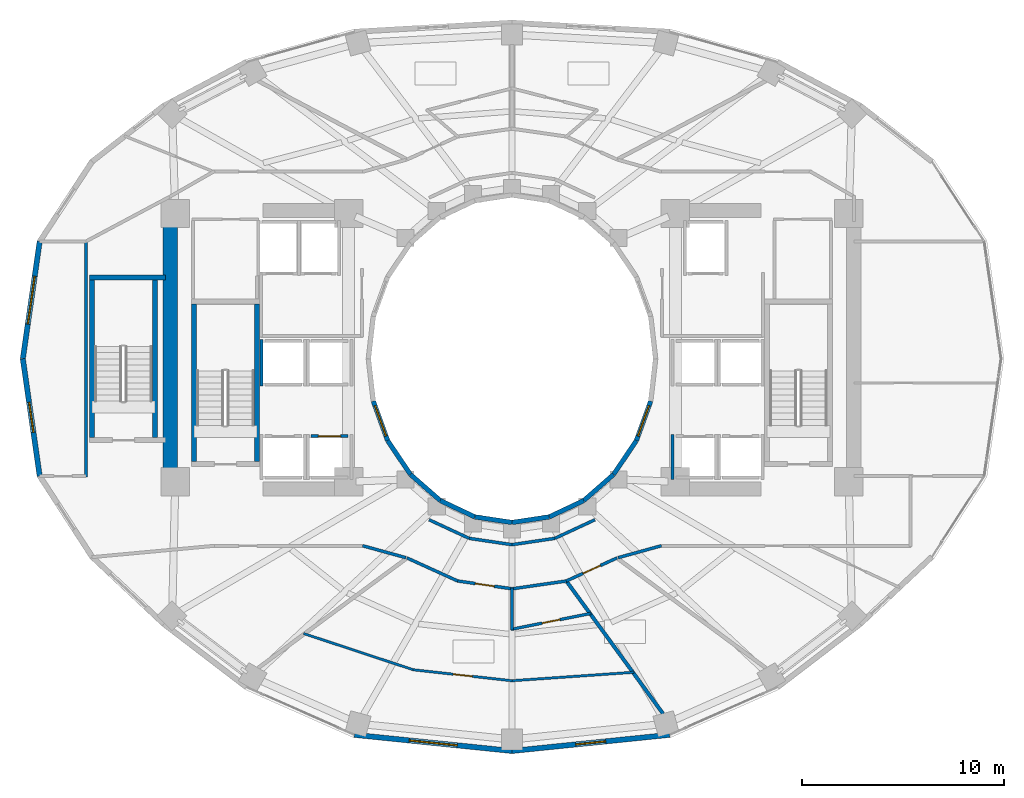
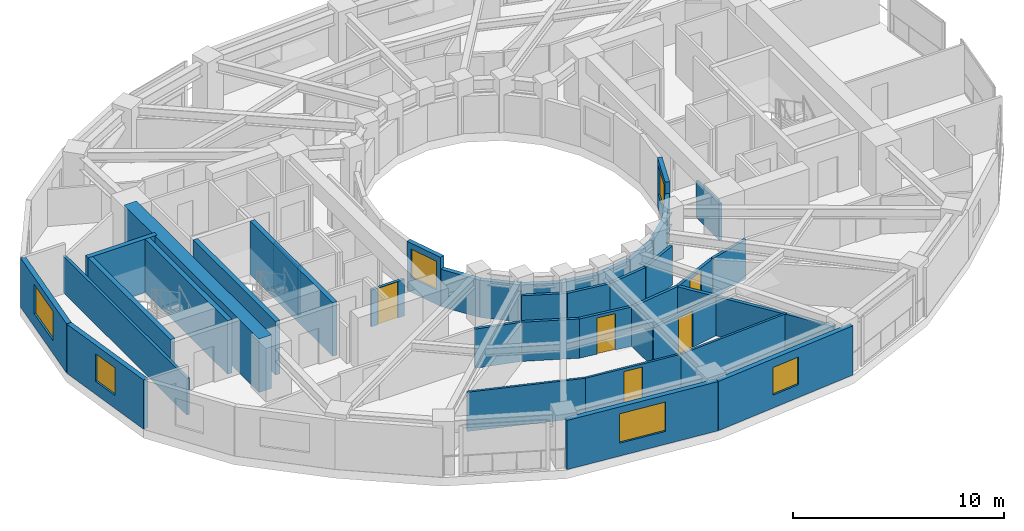
# One storey, part 11 of 18: 40 walls, 6 windows, 5 doors, 11 openings.
"""IFC4 building model written with IfcOpenShell, lengths in metres."""

import ifcopenshell
import ifcopenshell.guid

model = None  # the IFC model being written
_history = None  # IfcOwnerHistory: only IFC2X3 demands one
_inside = {}  # id of a spatial element -> (the spatial element, [elements in it])
_under = {}  # id of a project, library or spatial element -> (it, [spatial elements below it])
_declared = {}  # id of a project -> (the project, [libraries it declares])
_typed = {}  # id of a type object -> (the type object, [elements of that type])
_made_of = {}  # id of a material, layer set ... -> (it, [elements and type objects made of it])


def new_model(schema):
    """Start an empty IFC model of exactly this schema.

    Asked for "IFC4X3", IfcOpenShell would pick the latest addendum, in which some entities
    have other attributes; the version numbers below select the first issue.
    IFC2X3 requires an IfcOwnerHistory on every rooted entity: one is made here for all.
    """
    global model, _history
    if schema == "IFC4X3":
        model = ifcopenshell.file(schema_version=(4, 3, 0, 0))
    else:
        model = ifcopenshell.file(schema=schema)
    _inside.clear()
    _under.clear()
    _declared.clear()
    _typed.clear()
    _made_of.clear()
    _history = None
    if model.schema == "IFC2X3":
        org = make("IfcOrganization", Name="unknown")
        user = make(
            "IfcPersonAndOrganization",
            ThePerson=make("IfcPerson", FamilyName="unknown"),
            TheOrganization=org,
        )
        app = make(
            "IfcApplication",
            ApplicationDeveloper=org,
            Version="unknown",
            ApplicationFullName="unknown",
            ApplicationIdentifier="unknown",
        )
        _history = make(
            "IfcOwnerHistory",
            OwningUser=user,
            OwningApplication=app,
            ChangeAction="ADDED",
            CreationDate=0,
        )
    return model


def make(cls, **values):
    """One entity of the class cls with the attributes given. An attribute that is None is left unset."""
    return model.create_entity(
        cls, **{name: value for name, value in values.items() if value is not None}
    )


def rooted(cls, **values):
    """An entity with a GlobalId (a new one), such as an element, a storey or a relation."""
    return make(cls, GlobalId=ifcopenshell.guid.new(), OwnerHistory=_history, **values)


def si_unit(unit_type, name, prefix=None):
    """IfcSIUnit, for example si_unit("LENGTHUNIT", "METRE", prefix="MILLI")."""
    return make("IfcSIUnit", UnitType=unit_type, Prefix=prefix, Name=name)


def assignment(units):
    """IfcUnitAssignment: the units of a project."""
    return None if units is None else make("IfcUnitAssignment", Units=units)


def point(xyz):
    """IfcCartesianPoint."""
    return None if xyz is None else make("IfcCartesianPoint", Coordinates=xyz)


def direction(xyz):
    """IfcDirection."""
    return None if xyz is None else make("IfcDirection", DirectionRatios=xyz)


def frame(location, z_axis=None, x_axis=None):
    """IfcAxis2Placement3D, a coordinate frame: its origin and axes. An axis left out is left unset."""
    return make(
        "IfcAxis2Placement3D",
        Location=point(location),
        Axis=direction(z_axis),
        RefDirection=direction(x_axis),
    )


def frame_2d(location, x_axis=None):
    """IfcAxis2Placement2D, a coordinate frame in the plane: its origin and x axis."""
    return make(
        "IfcAxis2Placement2D", Location=point(location), RefDirection=direction(x_axis)
    )


def origin():
    """The frame at (0, 0, 0) with its axes left unset."""
    return frame((0.0, 0.0, 0.0))


def place(relative_to, where):
    """IfcLocalPlacement: puts the frame where relative to a parent placement (None: the world)."""
    return make(
        "IfcLocalPlacement", PlacementRelTo=relative_to, RelativePlacement=where
    )


def context(
    kind, dimensions, precision=None, world=None, true_north=None, identifier=None
):
    """IfcGeometricRepresentationContext, for example the 3D "Model" context."""
    return make(
        "IfcGeometricRepresentationContext",
        ContextIdentifier=identifier,
        ContextType=kind,
        CoordinateSpaceDimension=dimensions,
        Precision=precision,
        WorldCoordinateSystem=world,
        TrueNorth=true_north,
    )


def subcontext(parent, identifier, kind, view, scale=None):
    """IfcGeometricRepresentationSubContext, for example "Body" below "Model"."""
    return make(
        "IfcGeometricRepresentationSubContext",
        ContextIdentifier=identifier,
        ContextType=kind,
        ParentContext=parent,
        TargetScale=scale,
        TargetView=view,
    )


def project(units=None, contexts=None):
    """IfcProject with its units and contexts."""
    return rooted(
        "IfcProject",
        Name="project",
        RepresentationContexts=contexts,
        UnitsInContext=assignment(units),
    )


def spatial(cls, under=None, at=None, **own):
    """A site, building, storey or space (cls), placed at a placement, below another one or the project."""
    s = rooted(cls, ObjectPlacement=at, **own)
    if under is not None:
        _under.setdefault(under.id(), (under, []))[1].append(s)
    return s


def profile(cls, at=None, kind="AREA", **sizes):
    """A parametric profile (cls). Its sizes go by their IFC names, for example OverallWidth=200.0."""
    return make(cls, ProfileType=kind, Position=at, **sizes)


def rectangle(**sizes):
    """IfcRectangleProfileDef."""
    return profile("IfcRectangleProfileDef", **sizes)


def extrude(swept, where, along, depth):
    """IfcExtrudedAreaSolid: the profile swept, set in the frame where, extruded along a direction by depth."""
    return make(
        "IfcExtrudedAreaSolid",
        SweptArea=swept,
        Position=where,
        ExtrudedDirection=direction(along),
        Depth=depth,
    )


def shape(context_of_items, identifier, shape_type, items):
    """IfcShapeRepresentation: the items that make up one representation, for example the "Body"."""
    return make(
        "IfcShapeRepresentation",
        ContextOfItems=context_of_items,
        RepresentationIdentifier=identifier,
        RepresentationType=shape_type,
        Items=items,
    )


def material(Name=None, Category=None):
    """IfcMaterial."""
    return make("IfcMaterial", Name=Name, Category=Category)


def layer(
    of_material, thickness, ventilated=None, Name=None, Category=None, Priority=None
):
    """IfcMaterialLayer: one layer of a wall or slab, of a material (None: an air gap)."""
    return make(
        "IfcMaterialLayer",
        Material=of_material,
        LayerThickness=thickness,
        IsVentilated=ventilated,
        Name=Name,
        Category=Category,
        Priority=Priority,
    )


def layer_set(layers, Name=None):
    """IfcMaterialLayerSet."""
    return make("IfcMaterialLayerSet", MaterialLayers=layers, LayerSetName=Name)


def made_of(thing, what):
    """Note that an element or type object is made of a material, layer set ...; save() writes the relation."""
    if what is not None:
        _made_of.setdefault(what.id(), (what, []))[1].append(thing)
    return thing


def type_object(cls, material=None, **own):
    """A type object (cls), such as IfcWallType, which elements share."""
    return made_of(rooted(cls, **own), material)


def element(
    cls,
    number,
    at=None,
    inside=None,
    cuts=None,
    type_object=None,
    material=None,
    context=None,
    identifier="Body",
    shape_type=None,
    held_by="IfcProductDefinitionShape",
    body=None,
    shapes=None,
    **own,
):
    """One element of the class cls, such as IfcWall. Its Tag is "e" and its number.

    at: its placement. inside: the storey or other place that contains it. cuts: it is an
    opening in that element (IfcRelVoidsElement). A single representation is given by context,
    identifier, shape_type and body (its items); several are given by shapes. held_by: the class
    of the entity that holds the representations. save() writes the other relations.
    """
    e = rooted(cls, Tag="e%d" % number, ObjectPlacement=at, **own)
    if body is not None:
        shapes = [shape(context, identifier, shape_type, body)]
    if shapes is not None:
        e.Representation = make(held_by, Representations=shapes)
    if inside is not None:
        _inside.setdefault(inside.id(), (inside, []))[1].append(e)
    if cuts is not None:
        rooted(
            "IfcRelVoidsElement", RelatingBuildingElement=cuts, RelatedOpeningElement=e
        )
    if type_object is not None:
        _typed.setdefault(type_object.id(), (type_object, []))[1].append(e)
    return made_of(e, material)


def fill(opening, filler):
    """IfcRelFillsElement: the door or window that sits in an opening."""
    return rooted(
        "IfcRelFillsElement",
        RelatingOpeningElement=opening,
        RelatedBuildingElement=filler,
    )


def aggregate(whole, parts):
    """IfcRelAggregates: a whole, such as a stair, and the parts it consists of."""
    return rooted("IfcRelAggregates", RelatingObject=whole, RelatedObjects=parts)


def save(model, path):
    """Write the relations noted so far, then the file.

    IfcRelAggregates (storeys below a building ...), IfcRelContainedInSpatialStructure (elements
    in a storey), IfcRelDefinesByType, IfcRelAssociatesMaterial and IfcRelDeclares: one each for
    every whole, place, type object, material and project.
    """
    for whole, parts in _under.values():
        aggregate(whole, parts)
    for where, things in _inside.values():
        rooted(
            "IfcRelContainedInSpatialStructure",
            RelatedElements=things,
            RelatingStructure=where,
        )
    for kind, things in _typed.values():
        rooted("IfcRelDefinesByType", RelatedObjects=things, RelatingType=kind)
    for what, things in _made_of.values():
        rooted("IfcRelAssociatesMaterial", RelatedObjects=things, RelatingMaterial=what)
    for by, libraries in _declared.values():
        rooted("IfcRelDeclares", RelatingContext=by, RelatedDefinitions=libraries)
    model.write(path)


model = new_model("IFC4")

# Units and contexts
model_context = context("Model", 3, precision=1e-05, world=origin(), true_north=direction((0.0, 1.0)))
body_context = subcontext(model_context, "Body", "Model", "MODEL_VIEW")
ifc_project = project(units=[si_unit("LENGTHUNIT", "METRE"), si_unit("AREAUNIT", "SQUARE_METRE"), si_unit("VOLUMEUNIT", "CUBIC_METRE"), si_unit("PLANEANGLEUNIT", "RADIAN"), si_unit("MASSUNIT", "GRAM", prefix="KILO")], contexts=[model_context])

# Site, building, storey
site_placement = place(None, origin())
site = spatial("IfcSite", under=ifc_project, at=site_placement, CompositionType="ELEMENT")
building_placement = place(site_placement, origin())
building = spatial("IfcBuilding", under=site, at=building_placement, Name="Solvane Sanctuary Tower", CompositionType="ELEMENT")
storey_placement = place(building_placement, frame((0.0, 0.0, 94.89990234375)))
storey = spatial("IfcBuildingStorey", under=building, at=storey_placement, Name="L28", CompositionType="ELEMENT", Elevation=94.89990234375)

# Walls
ifc_material_1 = material(Name="Concrete C60/75", Category="concrete")
ifc_layer_1 = layer(ifc_material_1, 0.699951171875, Name="Concrete C60/75")
ifc_layer_set_1 = layer_set([ifc_layer_1], Name="Concrete C60/75")
wall_type_1 = type_object("IfcWallType", Name="Wall W-CORE-700", PredefinedType="SHEAR", material=ifc_layer_set_1)
wall_1_placement = place(storey_placement, frame((15.050048828125, 17.050048828125, 0.0), z_axis=(0.0, 0.0, 1.0), x_axis=(0.0, 1.0, 0.0)))
element("IfcWall", 1, at=wall_1_placement, inside=storey, type_object=wall_type_1, Name="L28 Core Shear Wall WC-W", PredefinedType="SHEAR", context=body_context, shape_type="SweptSolid", body=[
    extrude(rectangle(XDim=12.800048828125, YDim=0.699951171875, at=frame_2d((6.39990234375, 0.0))), origin(), (0.0, 0.0, 1.0), 3.10009765625),
])
ifc_material_2 = material(Name="Acoustic Gypsum Partition Board")
ifc_layer_2 = layer(ifc_material_2, 0.14990234375, Name="Acoustic Gypsum Partition Board")
ifc_layer_set_2 = layer_set([ifc_layer_2], Name="Acoustic Gypsum Partition Board")
wall_type_2 = type_object("IfcWallType", Name="Wall W-CORR-150", PredefinedType="PARTITIONING", material=ifc_layer_set_2)
wall_2_placement = place(storey_placement, frame((27.889892578125, 15.01513671875, 0.0), z_axis=(0.0, 0.0, 1.0), x_axis=(0.906943449489, -0.421252393975, 0.0)))
element("IfcWall", 2, at=wall_2_placement, inside=storey, type_object=wall_type_2, Name="L28 Light-Well Corridor Rim Wall S1", PredefinedType="PARTITIONING", context=body_context, shape_type="SweptSolid", body=[
    extrude(rectangle(XDim=2.18603515625, YDim=0.14990234375, at=frame_2d((1.093017578125, 0.0))), origin(), (0.0, 0.0, 1.0), 2.272216796875),
])
for number, where, z_axis, x_axis, name in (
    (3, (29.87255859375, 14.09423828125, 0.0), (0.0, 0.0, 1.0), (0.989268584896, -0.146108408166, 0.0), "L28 Light-Well Corridor Rim Wall S2"),
    (4, (32.0, 13.780029296875, 0.0), (0.0, 0.0, 1.0), (0.989268584896, 0.146108408166, 0.0), "L28 Light-Well Corridor Rim Wall S3"),
):
    element("IfcWall", number, at=place(storey_placement, frame(where, z_axis=z_axis, x_axis=x_axis)), inside=storey, type_object=wall_type_2, Name=name, PredefinedType="PARTITIONING", context=body_context, shape_type="SweptSolid", body=[
        extrude(rectangle(XDim=2.150634765625, YDim=0.14990234375, at=frame_2d((1.0751953125, 0.0))), origin(), (0.0, 0.0, 1.0), 2.272216796875),
    ])
wall_3_placement = place(storey_placement, frame((34.12744140625, 14.09423828125, 0.0), z_axis=(0.0, 0.0, 1.0), x_axis=(0.906943449489, 0.421252393975, 0.0)))
element("IfcWall", 5, at=wall_3_placement, inside=storey, type_object=wall_type_2, Name="L28 Light-Well Corridor Rim Wall S4", PredefinedType="PARTITIONING", context=body_context, shape_type="SweptSolid", body=[
    extrude(rectangle(XDim=2.18603515625, YDim=0.14990234375, at=frame_2d((1.093017578125, 0.0))), origin(), (0.0, 0.0, 1.0), 2.272216796875),
])
wall_4_placement = place(storey_placement, frame((10.8798828125, 17.134765625, 0.0), z_axis=(0.0, 0.0, 1.0), x_axis=(0.0, 1.0, 0.0)))
element("IfcWall", 6, at=wall_4_placement, inside=storey, type_object=wall_type_2, Name="L28 West Shoulder Back Wall", PredefinedType="PARTITIONING", context=body_context, shape_type="SweptSolid", body=[
    extrude(rectangle(XDim=11.73046875, YDim=0.14990234375, at=frame_2d((5.865234375, 0.0))), origin(), (0.0, 0.0, 1.0), 2.1201171875),
])
for number, where, z_axis, x_axis, name in (
    (7, (26.741943359375, 13.13330078125, 0.0), (0.0, 0.0, 1.0), (-0.963833843713, 0.266503886865, 0.0), "L28 SW Corner Throat Wall"),
    (8, (37.258056640625, 13.13330078125, 0.0), (0.0, 0.0, 1.0), (0.963833843713, 0.266503886865, 0.0), "L28 SE Corner Throat Wall"),
):
    element("IfcWall", number, at=place(storey_placement, frame(where, z_axis=z_axis, x_axis=x_axis)), inside=storey, type_object=wall_type_2, Name=name, PredefinedType="PARTITIONING", context=body_context, shape_type="SweptSolid", body=[
        extrude(rectangle(XDim=2.231689453125, YDim=0.14990234375, at=frame_2d((1.11572265625, 0.0))), origin(), (0.0, 0.0, 1.0), 2.272216796875),
    ])
wall_5_placement = place(storey_placement, frame((31.950439453125, 11.5830078125, 0.0), z_axis=(0.0, 0.0, 1.0), x_axis=(0.989761784218, 0.142729150844, 0.0)))
element("IfcWall", 9, at=wall_5_placement, inside=storey, type_object=wall_type_2, Name="L28 En-suite Inner Wall S1", PredefinedType="PARTITIONING", context=body_context, shape_type="SweptSolid", body=[
    extrude(rectangle(XDim=2.822265625, YDim=0.14990234375, at=frame_2d((1.4111328125, 0.0))), origin(), (0.0, 0.0, 1.0), 2.272216796875),
])
wall_6_placement = place(storey_placement, frame((26.788818359375, 13.12255859375, 0.0), z_axis=(0.0, 0.0, 1.0), x_axis=(0.910568469686, -0.41335827319, 0.0)))
element("IfcWall", 10, at=wall_6_placement, inside=storey, type_object=wall_type_2, Name="L28 Unit Corridor Wall S1", PredefinedType="PARTITIONING", context=body_context, shape_type="SweptSolid", body=[
    extrude(rectangle(XDim=2.771728515625, YDim=0.14990234375, at=frame_2d((1.3857421875, 0.0))), origin(), (0.0, 0.0, 1.0), 2.272216796875),
])

# Wall, opening, door
wall_7_placement = place(storey_placement, frame((29.298583984375, 11.98095703125, 0.0), z_axis=(0.0, 0.0, 1.0), x_axis=(0.989748682384, -0.142819976611, 0.0)))
wall_7 = element("IfcWall", 11, at=wall_7_placement, inside=storey, type_object=wall_type_2, Name="L28 Unit Corridor Wall S1", PredefinedType="PARTITIONING", context=body_context, shape_type="SweptSolid", body=[
    extrude(rectangle(XDim=2.73681640625, YDim=0.14990234375, at=frame_2d((1.368408203125, 0.0))), origin(), (0.0, 0.0, 1.0), 2.272216796875),
])
opening_1_placement = place(wall_7_placement, frame((0.893310546875, 0.0, 0.0)))
opening_1 = element("IfcOpeningElement", 12, at=opening_1_placement, cuts=wall_7, Name="Opening D-L28-23", PredefinedType="OPENING", context=body_context, shape_type="SweptSolid", body=[
    extrude(rectangle(XDim=0.949951171875, YDim=2.10009765625, at=frame_2d((0.47509765625, 1.050048828125))), frame((0.0, 0.0849609375, 0.0), z_axis=(0.0, -1.0, 0.0), x_axis=(1.0, 0.0, 0.0)), (0.0, 0.0, 1.0), 0.169921875),
])
ifc_material_3 = material(Name="Engineered Tropical Hardwood", Category="wood")
door_type_1 = type_object("IfcDoorType", Name="Door D-ROOM-950", OperationType="NOTDEFINED", PredefinedType="DOOR", material=ifc_material_3)
door_1_placement = place(opening_1_placement, origin())
door_1 = element("IfcDoor", 13, at=door_1_placement, inside=storey, type_object=door_type_1, Name="L28 Unit Entrance Door S1", OperationType="SINGLE_SWING_RIGHT", OverallHeight=2.10009765625, OverallWidth=0.949951171875, PredefinedType="DOOR", context=body_context, shape_type="SweptSolid", body=[
    extrude(rectangle(XDim=0.949951171875, YDim=2.10009765625, at=frame_2d((0.47509765625, 1.050048828125))), frame((0.0, 0.02490234375, 0.0), z_axis=(0.0, -1.0, 0.0), x_axis=(1.0, 0.0, 0.0)), (0.0, 0.0, 1.0), 0.050048828125),
])
fill(opening_1, door_1)

wall_8_placement = place(storey_placement, frame((34.687255859375, 11.976806640625, 0.0), z_axis=(0.0, 0.0, 1.0), x_axis=(0.910568469686, 0.41335827319, 0.0)))
wall_8 = element("IfcWall", 14, at=wall_8_placement, inside=storey, type_object=wall_type_2, Name="L28 Unit Corridor Wall S2", PredefinedType="PARTITIONING", context=body_context, shape_type="SweptSolid", body=[
    extrude(rectangle(XDim=2.771728515625, YDim=0.14990234375, at=frame_2d((1.3857421875, 0.0))), origin(), (0.0, 0.0, 1.0), 2.272216796875),
])
opening_2_placement = place(wall_8_placement, frame((0.910888671875, 0.0, 0.0)))
opening_2 = element("IfcOpeningElement", 15, at=opening_2_placement, cuts=wall_8, Name="Opening D-L28-24", PredefinedType="OPENING", context=body_context, shape_type="SweptSolid", body=[
    extrude(rectangle(XDim=0.949951171875, YDim=2.10009765625, at=frame_2d((0.47509765625, 1.050048828125))), frame((0.0, 0.0849609375, 0.0), z_axis=(0.0, -1.0, 0.0), x_axis=(1.0, 0.0, 0.0)), (0.0, 0.0, 1.0), 0.169921875),
])
door_2_placement = place(opening_2_placement, origin())
door_2 = element("IfcDoor", 16, at=door_2_placement, inside=storey, type_object=door_type_1, Name="L28 Unit Entrance Door S2", OperationType="SINGLE_SWING_LEFT", OverallHeight=2.10009765625, OverallWidth=0.949951171875, PredefinedType="DOOR", context=body_context, shape_type="SweptSolid", body=[
    extrude(rectangle(XDim=0.949951171875, YDim=2.10009765625, at=frame_2d((0.47509765625, 1.050048828125))), frame((0.0, 0.02490234375, 0.0), z_axis=(0.0, -1.0, 0.0), x_axis=(1.0, 0.0, 0.0)), (0.0, 0.0, 1.0), 0.050048828125),
])
fill(opening_2, door_2)

# Wall, opening, window
ifc_material_4 = material(Name="Precast concrete C40/50", Category="concrete")
ifc_layer_3 = layer(ifc_material_4, 0.260009765625, Name="Precast concrete C40/50")
ifc_layer_set_3 = layer_set([ifc_layer_3], Name="Precast concrete C40/50")
wall_type_3 = type_object("IfcWallType", Name="Wall W-EXT-250", PredefinedType="STANDARD", material=ifc_layer_set_3)
wall_9_placement = place(storey_placement, frame((8.578125, 28.818603515625, 0.0), z_axis=(0.0, 0.0, 1.0), x_axis=(-0.142572472068, -0.98978436551, 0.0)))
wall_9 = element("IfcWall", 17, at=wall_9_placement, inside=storey, type_object=wall_type_3, Name="L28 Ceramic-Printed Facade Wall 11", PredefinedType="STANDARD", context=body_context, shape_type="SweptSolid", body=[
    extrude(rectangle(XDim=5.878662109375, YDim=0.260009765625, at=frame_2d((2.939453125, 0.0))), origin(), (0.0, 0.0, 1.0), 2.85009765625),
])
opening_3_placement = place(wall_9_placement, frame((1.739501953125, 0.0, 0.75)))
opening_3 = element("IfcOpeningElement", 18, at=opening_3_placement, cuts=wall_9, Name="Opening WN-RIB-2400", PredefinedType="OPENING", context=body_context, shape_type="SweptSolid", body=[
    extrude(rectangle(XDim=2.39990234375, YDim=1.699951171875, at=frame_2d((1.199951171875, 0.85009765625))), frame((0.0, 0.139892578125, 0.0), z_axis=(0.0, -1.0, 0.0), x_axis=(1.0, 0.0, 0.0)), (0.0, 0.0, 1.0), 0.280029296875),
])
ifc_material_5 = material(Name="Dark Ceramic-Fritted Low-E Glass", Category="glass")
window_type_1 = type_object("IfcWindowType", Name="Window WN-RIB-2400", PartitioningType="SINGLE_PANEL", PredefinedType="WINDOW", material=ifc_material_5)
window_1_placement = place(opening_3_placement, origin())
window_1 = element("IfcWindow", 19, at=window_1_placement, inside=storey, type_object=window_type_1, Name="L28 Operable Facade Window 11", OverallHeight=1.699951171875, OverallWidth=2.39990234375, PartitioningType="SINGLE_PANEL", PredefinedType="WINDOW", context=body_context, shape_type="SweptSolid", body=[
    extrude(rectangle(XDim=2.39990234375, YDim=1.699951171875, at=frame_2d((1.199951171875, 0.85009765625))), frame((0.0, 0.030029296875, 0.0), z_axis=(0.0, -1.0, 0.0), x_axis=(1.0, 0.0, 0.0)), (0.0, 0.0, 1.0), 0.06005859375),
])
fill(opening_3, window_1)

wall_10_placement = place(storey_placement, frame((7.739990234375, 23.0, 0.0), z_axis=(0.0, 0.0, 1.0), x_axis=(0.142572472068, -0.98978436551, 0.0)))
wall_10 = element("IfcWall", 20, at=wall_10_placement, inside=storey, type_object=wall_type_3, Name="L28 Ceramic-Printed Facade Wall 12", PredefinedType="STANDARD", context=body_context, shape_type="SweptSolid", body=[
    extrude(rectangle(XDim=5.878662109375, YDim=0.260009765625, at=frame_2d((2.939453125, 0.0))), origin(), (0.0, 0.0, 1.0), 2.85009765625),
])
opening_4_placement = place(wall_10_placement, frame((2.189453125, 0.0, 0.75)))
opening_4 = element("IfcOpeningElement", 21, at=opening_4_placement, cuts=wall_10, Name="Opening WN-OPER-1500", PredefinedType="OPENING", context=body_context, shape_type="SweptSolid", body=[
    extrude(rectangle(XDim=1.5, YDim=1.60009765625, at=frame_2d((0.75, 0.800048828125))), frame((0.0, 0.139892578125, 0.0), z_axis=(0.0, -1.0, 0.0), x_axis=(1.0, 0.0, 0.0)), (0.0, 0.0, 1.0), 0.280029296875),
])
window_type_2 = type_object("IfcWindowType", Name="Window WN-OPER-1500", PartitioningType="SINGLE_PANEL", PredefinedType="WINDOW", material=ifc_material_5)
window_2_placement = place(opening_4_placement, origin())
window_2 = element("IfcWindow", 22, at=window_2_placement, inside=storey, type_object=window_type_2, Name="L28 Operable Facade Window 12", OverallHeight=1.60009765625, OverallWidth=1.5, PartitioningType="SINGLE_PANEL", PredefinedType="WINDOW", context=body_context, shape_type="SweptSolid", body=[
    extrude(rectangle(XDim=1.5, YDim=1.60009765625, at=frame_2d((0.75, 0.800048828125))), frame((0.0, 0.030029296875, 0.0), z_axis=(0.0, -1.0, 0.0), x_axis=(1.0, 0.0, 0.0)), (0.0, 0.0, 1.0), 0.06005859375),
])
fill(opening_4, window_2)

wall_11_placement = place(storey_placement, frame((24.18359375, 4.349365234375, 0.0), z_axis=(0.0, 0.0, 1.0), x_axis=(0.994821390558, -0.101638579726, 0.0)))
wall_11 = element("IfcWall", 23, at=wall_11_placement, inside=storey, type_object=wall_type_3, Name="L28 Ceramic-Printed Facade Wall 17", PredefinedType="STANDARD", context=body_context, shape_type="SweptSolid", body=[
    extrude(rectangle(XDim=7.857177734375, YDim=0.260009765625, at=frame_2d((3.9287109375, 0.0))), origin(), (0.0, 0.0, 1.0), 2.85009765625),
])
opening_5_placement = place(wall_11_placement, frame((2.728515625, 0.0, 0.75)))
opening_5 = element("IfcOpeningElement", 24, at=opening_5_placement, cuts=wall_11, Name="Opening WN-RIB-2400", PredefinedType="OPENING", context=body_context, shape_type="SweptSolid", body=[
    extrude(rectangle(XDim=2.39990234375, YDim=1.699951171875, at=frame_2d((1.199951171875, 0.85009765625))), frame((0.0, 0.139892578125, 0.0), z_axis=(0.0, -1.0, 0.0), x_axis=(1.0, 0.0, 0.0)), (0.0, 0.0, 1.0), 0.280029296875),
])
window_3_placement = place(opening_5_placement, origin())
window_3 = element("IfcWindow", 25, at=window_3_placement, inside=storey, type_object=window_type_1, Name="L28 Operable Facade Window 17", OverallHeight=1.699951171875, OverallWidth=2.39990234375, PartitioningType="SINGLE_PANEL", PredefinedType="WINDOW", context=body_context, shape_type="SweptSolid", body=[
    extrude(rectangle(XDim=2.39990234375, YDim=1.699951171875, at=frame_2d((1.199951171875, 0.85009765625))), frame((0.0, 0.030029296875, 0.0), z_axis=(0.0, -1.0, 0.0), x_axis=(1.0, 0.0, 0.0)), (0.0, 0.0, 1.0), 0.06005859375),
])
fill(opening_5, window_3)

wall_12_placement = place(storey_placement, frame((32.0, 3.55078125, 0.0), z_axis=(0.0, 0.0, 1.0), x_axis=(0.994821390558, 0.101638579726, 0.0)))
wall_12 = element("IfcWall", 26, at=wall_12_placement, inside=storey, type_object=wall_type_3, Name="L28 Ceramic-Printed Facade Wall 18", PredefinedType="STANDARD", context=body_context, shape_type="SweptSolid", body=[
    extrude(rectangle(XDim=7.857177734375, YDim=0.260009765625, at=frame_2d((3.9287109375, 0.0))), origin(), (0.0, 0.0, 1.0), 2.85009765625),
])
opening_6_placement = place(wall_12_placement, frame((3.178466796875, 0.0, 0.75)))
opening_6 = element("IfcOpeningElement", 27, at=opening_6_placement, cuts=wall_12, Name="Opening WN-OPER-1500", PredefinedType="OPENING", context=body_context, shape_type="SweptSolid", body=[
    extrude(rectangle(XDim=1.5, YDim=1.60009765625, at=frame_2d((0.75, 0.800048828125))), frame((0.0, 0.139892578125, 0.0), z_axis=(0.0, -1.0, 0.0), x_axis=(1.0, 0.0, 0.0)), (0.0, 0.0, 1.0), 0.280029296875),
])
window_4_placement = place(opening_6_placement, origin())
window_4 = element("IfcWindow", 28, at=window_4_placement, inside=storey, type_object=window_type_2, Name="L28 Operable Facade Window 18", OverallHeight=1.60009765625, OverallWidth=1.5, PartitioningType="SINGLE_PANEL", PredefinedType="WINDOW", context=body_context, shape_type="SweptSolid", body=[
    extrude(rectangle(XDim=1.5, YDim=1.60009765625, at=frame_2d((0.75, 0.800048828125))), frame((0.0, 0.030029296875, 0.0), z_axis=(0.0, -1.0, 0.0), x_axis=(1.0, 0.0, 0.0)), (0.0, 0.0, 1.0), 0.06005859375),
])
fill(opening_6, window_4)

ifc_layer_4 = layer(ifc_material_4, 0.22998046875, Name="Precast concrete C40/50")
ifc_layer_set_4 = layer_set([ifc_layer_4], Name="Precast concrete C40/50")
wall_type_4 = type_object("IfcWallType", Name="Wall W-EXT-SP220", PredefinedType="STANDARD", material=ifc_layer_set_4)
wall_13_placement = place(storey_placement, frame((25.12255859375, 20.8984375, 0.0), z_axis=(0.0, 0.0, 1.0), x_axis=(0.341423187295, -0.93990968033, 0.0)))
wall_13 = element("IfcWall", 29, at=wall_13_placement, inside=storey, type_object=wall_type_4, Name="L28 Central Light-Well Wall 13", PredefinedType="STANDARD", context=body_context, shape_type="SweptSolid", body=[
    extrude(rectangle(XDim=2.083740234375, YDim=0.22998046875, at=frame_2d((1.0419921875, 0.0))), origin(), (0.0, 0.0, 1.0), 2.840087890625),
])
opening_7_placement = place(wall_13_placement, frame((0.24169921875, 0.0, 0.85009765625)))
opening_7 = element("IfcOpeningElement", 30, at=opening_7_placement, cuts=wall_13, Name="Opening WN-WELL-1600", PredefinedType="OPENING", context=body_context, shape_type="SweptSolid", body=[
    extrude(rectangle(XDim=1.60009765625, YDim=1.64990234375, at=frame_2d((0.800048828125, 0.824951171875))), frame((0.0, 0.125, 0.0), z_axis=(0.0, -1.0, 0.0), x_axis=(1.0, 0.0, 0.0)), (0.0, 0.0, 1.0), 0.25),
])
ifc_material_6 = material(Name="Clear Laminated Light-Well Glass", Category="glass")
window_type_3 = type_object("IfcWindowType", Name="Window WN-WELL-1600", PartitioningType="SINGLE_PANEL", PredefinedType="WINDOW", material=ifc_material_6)
window_5_placement = place(opening_7_placement, origin())
window_5 = element("IfcWindow", 31, at=window_5_placement, inside=storey, type_object=window_type_3, Name="L28 Light-Well Daylight Window 13", OverallHeight=1.64990234375, OverallWidth=1.60009765625, PartitioningType="SINGLE_PANEL", PredefinedType="WINDOW", context=body_context, shape_type="SweptSolid", body=[
    extrude(rectangle(XDim=1.60009765625, YDim=1.64990234375, at=frame_2d((0.800048828125, 0.824951171875))), frame((0.0, 0.030029296875, 0.0), z_axis=(0.0, -1.0, 0.0), x_axis=(1.0, 0.0, 0.0)), (0.0, 0.0, 1.0), 0.06005859375),
])
fill(opening_7, window_5)

# Walls
wall_14_placement = place(storey_placement, frame((25.833984375, 18.93994140625, 0.0), z_axis=(0.0, 0.0, 1.0), x_axis=(0.558197800898, -0.829707909492, 0.0)))
element("IfcWall", 32, at=wall_14_placement, inside=storey, type_object=wall_type_4, Name="L28 Central Light-Well Wall 14", PredefinedType="STANDARD", context=body_context, shape_type="SweptSolid", body=[
    extrude(rectangle(XDim=2.02685546875, YDim=0.22998046875, at=frame_2d((1.013427734375, 0.0))), origin(), (0.0, 0.0, 1.0), 2.16015625),
])
wall_15_placement = place(storey_placement, frame((26.96533203125, 17.25830078125, 0.0), z_axis=(0.0, 0.0, 1.0), x_axis=(0.752576694707, -0.658504607869, 0.0)))
element("IfcWall", 33, at=wall_15_placement, inside=storey, type_object=wall_type_4, Name="L28 Central Light-Well Wall 15", PredefinedType="STANDARD", context=body_context, shape_type="SweptSolid", body=[
    extrude(rectangle(XDim=1.95947265625, YDim=0.22998046875, at=frame_2d((0.979736328125, 0.0))), origin(), (0.0, 0.0, 1.0), 2.16015625),
])
wall_16_placement = place(storey_placement, frame((28.43994140625, 15.968017578125, 0.0), z_axis=(0.0, 0.0, 1.0), x_axis=(0.904179699603, -0.427152280606, 0.0)))
element("IfcWall", 34, at=wall_16_placement, inside=storey, type_object=wall_type_4, Name="L28 Central Light-Well Wall 16", PredefinedType="STANDARD", context=body_context, shape_type="SweptSolid", body=[
    extrude(rectangle(XDim=1.899169921875, YDim=0.22998046875, at=frame_2d((0.94970703125, 0.0))), origin(), (0.0, 0.0, 1.0), 2.16015625),
])
for number, where, z_axis, x_axis, name in (
    (35, (30.1572265625, 15.15673828125, 0.0), (0.0, 0.0, 1.0), (0.988901730308, -0.148571086668, 0.0), "L28 Central Light-Well Wall 17"),
    (36, (32.0, 14.8798828125, 0.0), (0.0, 0.0, 1.0), (0.988901730308, 0.148571086668, 0.0), "L28 Central Light-Well Wall 18"),
):
    element("IfcWall", number, at=place(storey_placement, frame(where, z_axis=z_axis, x_axis=x_axis)), inside=storey, type_object=wall_type_4, Name=name, PredefinedType="STANDARD", context=body_context, shape_type="SweptSolid", body=[
        extrude(rectangle(XDim=1.863525390625, YDim=0.22998046875, at=frame_2d((0.931640625, 0.0))), origin(), (0.0, 0.0, 1.0), 2.16015625),
    ])
wall_17_placement = place(storey_placement, frame((33.8427734375, 15.15673828125, 0.0), z_axis=(0.0, 0.0, 1.0), x_axis=(0.904179699603, 0.427152280606, 0.0)))
element("IfcWall", 37, at=wall_17_placement, inside=storey, type_object=wall_type_4, Name="L28 Central Light-Well Wall 19", PredefinedType="STANDARD", context=body_context, shape_type="SweptSolid", body=[
    extrude(rectangle(XDim=1.899169921875, YDim=0.22998046875, at=frame_2d((0.94970703125, 0.0))), origin(), (0.0, 0.0, 1.0), 2.16015625),
])
wall_18_placement = place(storey_placement, frame((35.56005859375, 15.968017578125, 0.0), z_axis=(0.0, 0.0, 1.0), x_axis=(0.752576694707, 0.658504607869, 0.0)))
element("IfcWall", 38, at=wall_18_placement, inside=storey, type_object=wall_type_4, Name="L28 Central Light-Well Wall 20", PredefinedType="STANDARD", context=body_context, shape_type="SweptSolid", body=[
    extrude(rectangle(XDim=1.95947265625, YDim=0.22998046875, at=frame_2d((0.979736328125, 0.0))), origin(), (0.0, 0.0, 1.0), 2.16015625),
])
wall_19_placement = place(storey_placement, frame((37.03466796875, 17.25830078125, 0.0), z_axis=(0.0, 0.0, 1.0), x_axis=(0.558197800898, 0.829707909492, 0.0)))
element("IfcWall", 39, at=wall_19_placement, inside=storey, type_object=wall_type_4, Name="L28 Central Light-Well Wall 21", PredefinedType="STANDARD", context=body_context, shape_type="SweptSolid", body=[
    extrude(rectangle(XDim=2.02685546875, YDim=0.22998046875, at=frame_2d((1.013427734375, 0.0))), origin(), (0.0, 0.0, 1.0), 2.16015625),
])

# Wall, opening, window
wall_20_placement = place(storey_placement, frame((38.166015625, 18.93994140625, 0.0), z_axis=(0.0, 0.0, 1.0), x_axis=(0.341423187295, 0.93990968033, 0.0)))
wall_20 = element("IfcWall", 40, at=wall_20_placement, inside=storey, type_object=wall_type_4, Name="L28 Central Light-Well Wall 22", PredefinedType="STANDARD", context=body_context, shape_type="SweptSolid", body=[
    extrude(rectangle(XDim=2.083740234375, YDim=0.22998046875, at=frame_2d((1.0419921875, 0.0))), origin(), (0.0, 0.0, 1.0), 2.840087890625),
])
opening_8_placement = place(wall_20_placement, frame((0.24169921875, 0.0, 0.85009765625)))
opening_8 = element("IfcOpeningElement", 41, at=opening_8_placement, cuts=wall_20, Name="Opening WN-WELL-1600", PredefinedType="OPENING", context=body_context, shape_type="SweptSolid", body=[
    extrude(rectangle(XDim=1.60009765625, YDim=1.64990234375, at=frame_2d((0.800048828125, 0.824951171875))), frame((0.0, 0.125, 0.0), z_axis=(0.0, -1.0, 0.0), x_axis=(1.0, 0.0, 0.0)), (0.0, 0.0, 1.0), 0.25),
])
window_6_placement = place(opening_8_placement, origin())
window_6 = element("IfcWindow", 42, at=window_6_placement, inside=storey, type_object=window_type_3, Name="L28 Light-Well Daylight Window 22", OverallHeight=1.64990234375, OverallWidth=1.60009765625, PartitioningType="SINGLE_PANEL", PredefinedType="WINDOW", context=body_context, shape_type="SweptSolid", body=[
    extrude(rectangle(XDim=1.60009765625, YDim=1.64990234375, at=frame_2d((0.800048828125, 0.824951171875))), frame((0.0, 0.030029296875, 0.0), z_axis=(0.0, -1.0, 0.0), x_axis=(1.0, 0.0, 0.0)), (0.0, 0.0, 1.0), 0.06005859375),
])
fill(opening_8, window_6)

# Wall
ifc_layer_5 = layer(ifc_material_2, 0.1201171875, Name="Acoustic Gypsum Partition Board")
ifc_layer_set_5 = layer_set([ifc_layer_5], Name="Acoustic Gypsum Partition Board")
wall_type_5 = type_object("IfcWallType", Name="Wall W-MOV-100", PredefinedType="MOVABLE", material=ifc_layer_set_5)
wall_21_placement = place(storey_placement, frame((21.66015625, 9.3759765625, 0.0), z_axis=(0.0, 0.0, 1.0), x_axis=(0.949429126756, -0.313981421852, 0.0)))
element("IfcWall", 43, at=wall_21_placement, inside=storey, type_object=wall_type_5, Name="L28 Suite Sitting Lounge Partition S1", PredefinedType="MOVABLE", context=body_context, shape_type="SweptSolid", body=[
    extrude(rectangle(XDim=5.74072265625, YDim=0.1201171875, at=frame_2d((2.870361328125, 0.0))), origin(), (0.0, 0.0, 1.0), 2.272216796875),
])

# Wall, opening, door
wall_22_placement = place(storey_placement, frame((27.09130859375, 7.57763671875, 0.0), z_axis=(0.0, 0.0, 1.0), x_axis=(0.993892154322, -0.110355722898, 0.0)))
wall_22 = element("IfcWall", 44, at=wall_22_placement, inside=storey, type_object=wall_type_5, Name="L28 Suite Sitting Lounge Partition S1", PredefinedType="MOVABLE", context=body_context, shape_type="SweptSolid", body=[
    extrude(rectangle(XDim=4.948974609375, YDim=0.1201171875, at=frame_2d((2.474609375, 0.0))), origin(), (0.0, 0.0, 1.0), 2.272216796875),
])
opening_9_placement = place(wall_22_placement, frame((1.99951171875, 0.0, 0.0)))
opening_9 = element("IfcOpeningElement", 45, at=opening_9_placement, cuts=wall_22, Name="Opening D-L28-21", PredefinedType="OPENING", context=body_context, shape_type="SweptSolid", body=[
    extrude(rectangle(XDim=0.949951171875, YDim=2.10009765625, at=frame_2d((0.47509765625, 1.050048828125))), frame((0.0, 0.070068359375, 0.0), z_axis=(0.0, -1.0, 0.0), x_axis=(1.0, 0.0, 0.0)), (0.0, 0.0, 1.0), 0.14013671875),
])
door_3_placement = place(opening_9_placement, origin())
door_3 = element("IfcDoor", 46, at=door_3_placement, inside=storey, type_object=door_type_1, Name="L28 Suite Sitting Lounge Door S1", OperationType="SINGLE_SWING_RIGHT", OverallHeight=2.10009765625, OverallWidth=0.949951171875, PredefinedType="DOOR", context=body_context, shape_type="SweptSolid", body=[
    extrude(rectangle(XDim=0.949951171875, YDim=2.10009765625, at=frame_2d((0.47509765625, 1.050048828125))), frame((0.0, 0.02490234375, 0.0), z_axis=(0.0, -1.0, 0.0), x_axis=(1.0, 0.0, 0.0)), (0.0, 0.0, 1.0), 0.050048828125),
])
fill(opening_9, door_3)

# Wall
wall_23_placement = place(storey_placement, frame((31.989990234375, 7.03173828125, 0.0), z_axis=(0.0, 0.0, 1.0), x_axis=(0.997605327057, 0.06916365684, 0.0)))
element("IfcWall", 47, at=wall_23_placement, inside=storey, type_object=wall_type_5, Name="L28 Suite Sitting Lounge Partition S1", PredefinedType="MOVABLE", context=body_context, shape_type="SweptSolid", body=[
    extrude(rectangle(XDim=6.071533203125, YDim=0.1201171875, at=frame_2d((3.03564453125, 0.0))), origin(), (0.0, 0.0, 1.0), 2.272216796875),
])

# Wall, opening, door
ifc_material_7 = material(Name="Concrete C50/60", Category="concrete")
ifc_layer_6 = layer(ifc_material_7, 0.14990234375, Name="Concrete C50/60")
ifc_layer_set_6 = layer_set([ifc_layer_6], Name="Concrete C50/60")
wall_type_6 = type_object("IfcWallType", Name="Wall W-SHAFT-150", PredefinedType="SOLIDWALL", material=ifc_layer_set_6)
wall_24_placement = place(storey_placement, frame((22.0400390625, 19.159912109375, 0.0), z_axis=(0.0, 0.0, 1.0), x_axis=(1.0, 0.0, 0.0)))
wall_24 = element("IfcWall", 48, at=wall_24_placement, inside=storey, type_object=wall_type_6, Name="L28 PL-2 Lift Shaft Wall F", PredefinedType="SOLIDWALL", context=body_context, shape_type="SweptSolid", body=[
    extrude(rectangle(XDim=1.820068359375, YDim=0.14990234375, at=frame_2d((0.91015625, 0.0))), origin(), (0.0, 0.0, 1.0), 2.1201171875),
])
opening_10_placement = place(wall_24_placement, frame((0.360107421875, 0.0, 0.0)))
opening_10 = element("IfcOpeningElement", 49, at=opening_10_placement, cuts=wall_24, Name="Opening LD-L28-02", PredefinedType="OPENING", context=body_context, shape_type="SweptSolid", body=[
    extrude(rectangle(XDim=1.10009765625, YDim=2.10009765625, at=frame_2d((0.550048828125, 1.050048828125))), frame((0.0, 0.0849609375, 0.0), z_axis=(0.0, -1.0, 0.0), x_axis=(1.0, 0.0, 0.0)), (0.0, 0.0, 1.0), 0.169921875),
])
ifc_material_8 = material(Name="Architectural Stainless Steel 316", Category="steel")
door_type_2 = type_object("IfcDoorType", Name="Door LD-PASS-1100", OperationType="NOTDEFINED", PredefinedType="DOOR", material=ifc_material_8)
door_4_placement = place(opening_10_placement, origin())
door_4 = element("IfcDoor", 50, at=door_4_placement, inside=storey, type_object=door_type_2, Name="L28 PL-2 Lift Landing Door", OperationType="DOUBLE_DOOR_SLIDING", OverallHeight=2.10009765625, OverallWidth=1.10009765625, PredefinedType="DOOR", context=body_context, shape_type="SweptSolid", body=[
    extrude(rectangle(XDim=1.10009765625, YDim=2.10009765625, at=frame_2d((0.550048828125, 1.050048828125))), frame((0.0, 0.02490234375, 0.0), z_axis=(0.0, -1.0, 0.0), x_axis=(1.0, 0.0, 0.0)), (0.0, 0.0, 1.0), 0.050048828125),
])
fill(opening_10, door_4)

# Walls
wall_25_placement = place(storey_placement, frame((39.969970703125, 17.02001953125, 0.0), z_axis=(0.0, 0.0, 1.0), x_axis=(0.0, 1.0, 0.0)))
element("IfcWall", 51, at=wall_25_placement, inside=storey, type_object=wall_type_6, Name="L28 PL-3 Lift Shaft Wall S1", PredefinedType="SOLIDWALL", context=body_context, shape_type="SweptSolid", body=[
    extrude(rectangle(XDim=2.219970703125, YDim=0.14990234375, at=frame_2d((1.10986328125, 0.0))), origin(), (0.0, 0.0, 1.0), 2.1201171875),
])
wall_26_placement = place(storey_placement, frame((19.570068359375, 21.639892578125, 0.0), z_axis=(0.0, 0.0, 1.0), x_axis=(0.0, 1.0, 0.0)))
element("IfcWall", 52, at=wall_26_placement, inside=storey, type_object=wall_type_6, Name="L28 PM-1 Lift Shaft Wall S1", PredefinedType="SOLIDWALL", context=body_context, shape_type="SweptSolid", body=[
    extrude(rectangle(XDim=2.320068359375, YDim=0.14990234375, at=frame_2d((1.16015625, 0.0))), origin(), (0.0, 0.0, 1.0), 2.85498046875),
])
ifc_layer_7 = layer(ifc_material_7, 0.25, Name="Concrete C50/60")
ifc_layer_set_7 = layer_set([ifc_layer_7], Name="Concrete C50/60")
wall_type_7 = type_object("IfcWallType", Name="Wall W-SHAFT-250", PredefinedType="SOLIDWALL", material=ifc_layer_set_7)
for number, where, z_axis, x_axis, name in (
    (53, (16.22998046875, 17.89501953125, 0.0), (0.0, 0.0, 1.0), (0.0, 1.0, 0.0), "L28 ST-1 Load-Bearing Shaft Wall W"),
    (54, (19.35009765625, 17.89501953125, 0.0), (0.0, 0.0, 1.0), (0.0, 1.0, 0.0), "L28 ST-1 Load-Bearing Shaft Wall E"),
):
    element("IfcWall", number, at=place(storey_placement, frame(where, z_axis=z_axis, x_axis=x_axis)), inside=storey, type_object=wall_type_7, Name=name, PredefinedType="SOLIDWALL", context=body_context, shape_type="SweptSolid", body=[
        extrude(rectangle(XDim=7.81005859375, YDim=0.25, at=frame_2d((3.905029296875, 0.0))), origin(), (0.0, 0.0, 1.0), 3.10009765625),
    ])
wall_27_placement = place(storey_placement, frame((11.044921875, 27.030029296875, 0.0), z_axis=(0.0, 0.0, 1.0), x_axis=(1.0, 0.0, 0.0)))
element("IfcWall", 55, at=wall_27_placement, inside=storey, type_object=wall_type_7, Name="L28 ST-3 Load-Bearing Shaft Wall N", PredefinedType="SOLIDWALL", context=body_context, shape_type="SweptSolid", body=[
    extrude(rectangle(XDim=3.781982421875, YDim=0.25, at=frame_2d((1.89111328125, 0.0))), origin(), (0.0, 0.0, 1.0), 3.10009765625),
])
for number, where, z_axis, x_axis, name in (
    (56, (11.169921875, 19.094970703125, 0.0), (0.0, 0.0, 1.0), (0.0, 1.0, 0.0), "L28 ST-3 Load-Bearing Shaft Wall W"),
    (57, (14.2900390625, 19.094970703125, 0.0), (0.0, 0.0, 1.0), (0.0, 1.0, 0.0), "L28 ST-3 Load-Bearing Shaft Wall E"),
):
    element("IfcWall", number, at=place(storey_placement, frame(where, z_axis=z_axis, x_axis=x_axis)), inside=storey, type_object=wall_type_7, Name=name, PredefinedType="SOLIDWALL", context=body_context, shape_type="SweptSolid", body=[
        extrude(rectangle(XDim=7.81005859375, YDim=0.25, at=frame_2d((3.905029296875, 0.0))), origin(), (0.0, 0.0, 1.0), 3.10009765625),
    ])
ifc_layer_8 = layer(ifc_material_2, 0.179931640625, Name="Acoustic Gypsum Partition Board")
ifc_layer_set_8 = layer_set([ifc_layer_8], Name="Acoustic Gypsum Partition Board")
wall_type_8 = type_object("IfcWallType", Name="Wall W-UNIT-180", PredefinedType="PARTITIONING", material=ifc_layer_set_8)
wall_28_placement = place(storey_placement, frame((34.726806640625, 11.934326171875, 0.0), z_axis=(0.0, 0.0, 1.0), x_axis=(0.589042211476, -0.808102266486, 0.0)))
element("IfcWall", 58, at=wall_28_placement, inside=storey, type_object=wall_type_8, Name="L28 Radial Compartment Wall 285", PredefinedType="PARTITIONING", context=body_context, shape_type="SweptSolid", body=[
    extrude(rectangle(XDim=8.101318359375, YDim=0.179931640625, at=frame_2d((4.05078125, 0.0))), origin(), (0.0, 0.0, 1.0), 2.272216796875),
])
ifc_layer_9 = layer(ifc_material_2, 0.139892578125, Name="Acoustic Gypsum Partition Board")
ifc_layer_set_9 = layer_set([ifc_layer_9], Name="Acoustic Gypsum Partition Board")
wall_type_9 = type_object("IfcWallType", Name="Wall W-WET-140", PredefinedType="PLUMBINGWALL", material=ifc_layer_set_9)
wall_29_placement = place(storey_placement, frame((32.0, 11.639892578125, 0.0), z_axis=(0.0, 0.0, 1.0), x_axis=(0.0, -1.0, 0.0)))
element("IfcWall", 59, at=wall_29_placement, inside=storey, type_object=wall_type_9, Name="L28 En-suite Side Partition S1", PredefinedType="PLUMBINGWALL", context=body_context, shape_type="SweptSolid", body=[
    extrude(rectangle(XDim=2.099853515625, YDim=0.139892578125, at=frame_2d((1.0498046875, 0.0))), origin(), (0.0, 0.0, 1.0), 2.272216796875),
])

# Wall, opening, door
wall_30_placement = place(storey_placement, frame((31.950927734375, 9.580078125, 0.0), z_axis=(0.0, 0.0, 1.0), x_axis=(0.980668708329, 0.195675457082, 0.0)))
wall_30 = element("IfcWall", 60, at=wall_30_placement, inside=storey, type_object=wall_type_9, Name="L28 En-suite Bedroom Wall S1", PredefinedType="PLUMBINGWALL", context=body_context, shape_type="SweptSolid", body=[
    extrude(rectangle(XDim=4.048828125, YDim=0.139892578125, at=frame_2d((2.0244140625, 0.0))), origin(), (0.0, 0.0, 1.0), 2.272216796875),
])
opening_11_placement = place(wall_30_placement, frame((1.57421875, 0.0, 0.0)))
opening_11 = element("IfcOpeningElement", 61, at=opening_11_placement, cuts=wall_30, Name="Opening D-L28-22", PredefinedType="OPENING", context=body_context, shape_type="SweptSolid", body=[
    extrude(rectangle(XDim=0.89990234375, YDim=2.10009765625, at=frame_2d((0.449951171875, 1.050048828125))), frame((0.0, 0.079833984375, 0.0), z_axis=(0.0, -1.0, 0.0), x_axis=(1.0, 0.0, 0.0)), (0.0, 0.0, 1.0), 0.159912109375),
])
door_type_3 = type_object("IfcDoorType", Name="Door D-WET-900", OperationType="NOTDEFINED", PredefinedType="DOOR", material=ifc_material_3)
door_5_placement = place(opening_11_placement, origin())
door_5 = element("IfcDoor", 62, at=door_5_placement, inside=storey, type_object=door_type_3, Name="L28 En-suite Bathroom Door S1", OperationType="SINGLE_SWING_LEFT", OverallHeight=2.10009765625, OverallWidth=0.89990234375, PredefinedType="DOOR", context=body_context, shape_type="SweptSolid", body=[
    extrude(rectangle(XDim=0.89990234375, YDim=2.10009765625, at=frame_2d((0.449951171875, 1.050048828125))), frame((0.0, 0.02490234375, 0.0), z_axis=(0.0, -1.0, 0.0), x_axis=(1.0, 0.0, 0.0)), (0.0, 0.0, 1.0), 0.050048828125),
])
fill(opening_11, door_5)

save(model, "model.ifc")
